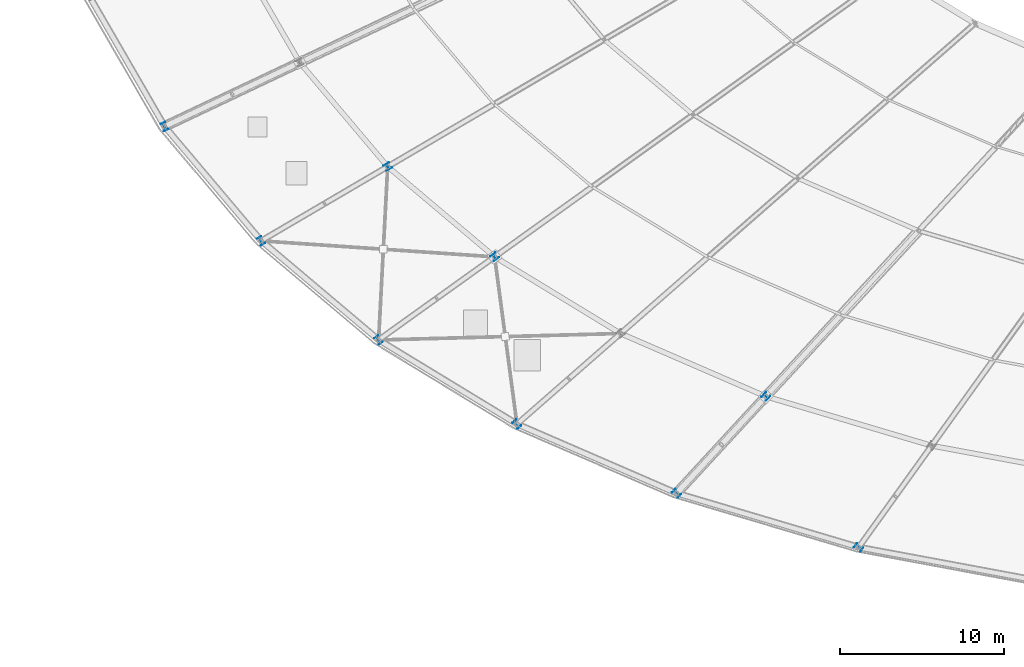
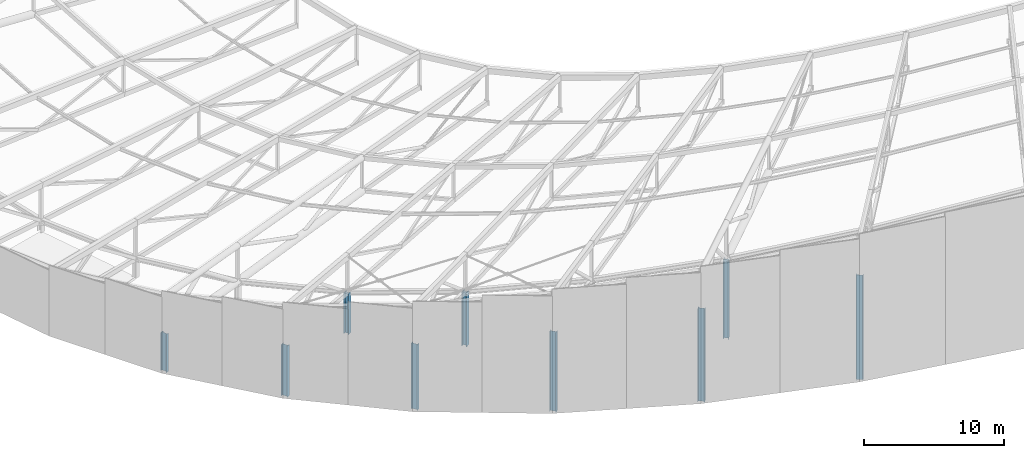
# One storey, part 1 of 143: 9 columns.
"""IFC4 building model written with IfcOpenShell, lengths in metres."""

import ifcopenshell
import ifcopenshell.guid

model = None  # the IFC model being written
_history = None  # IfcOwnerHistory: only IFC2X3 demands one
_inside = {}  # id of a spatial element -> (the spatial element, [elements in it])
_under = {}  # id of a project, library or spatial element -> (it, [spatial elements below it])
_declared = {}  # id of a project -> (the project, [libraries it declares])
_typed = {}  # id of a type object -> (the type object, [elements of that type])
_made_of = {}  # id of a material, layer set ... -> (it, [elements and type objects made of it])


def new_model(schema):
    """Start an empty IFC model of exactly this schema.

    Asked for "IFC4X3", IfcOpenShell would pick the latest addendum, in which some entities
    have other attributes; the version numbers below select the first issue.
    IFC2X3 requires an IfcOwnerHistory on every rooted entity: one is made here for all.
    """
    global model, _history
    if schema == "IFC4X3":
        model = ifcopenshell.file(schema_version=(4, 3, 0, 0))
    else:
        model = ifcopenshell.file(schema=schema)
    _inside.clear()
    _under.clear()
    _declared.clear()
    _typed.clear()
    _made_of.clear()
    _history = None
    if model.schema == "IFC2X3":
        org = make("IfcOrganization", Name="unknown")
        user = make(
            "IfcPersonAndOrganization",
            ThePerson=make("IfcPerson", FamilyName="unknown"),
            TheOrganization=org,
        )
        app = make(
            "IfcApplication",
            ApplicationDeveloper=org,
            Version="unknown",
            ApplicationFullName="unknown",
            ApplicationIdentifier="unknown",
        )
        _history = make(
            "IfcOwnerHistory",
            OwningUser=user,
            OwningApplication=app,
            ChangeAction="ADDED",
            CreationDate=0,
        )
    return model


def make(cls, **values):
    """One entity of the class cls with the attributes given. An attribute that is None is left unset."""
    return model.create_entity(
        cls, **{name: value for name, value in values.items() if value is not None}
    )


def rooted(cls, **values):
    """An entity with a GlobalId (a new one), such as an element, a storey or a relation."""
    return make(cls, GlobalId=ifcopenshell.guid.new(), OwnerHistory=_history, **values)


def si_unit(unit_type, name, prefix=None):
    """IfcSIUnit, for example si_unit("LENGTHUNIT", "METRE", prefix="MILLI")."""
    return make("IfcSIUnit", UnitType=unit_type, Prefix=prefix, Name=name)


def assignment(units):
    """IfcUnitAssignment: the units of a project."""
    return None if units is None else make("IfcUnitAssignment", Units=units)


def point(xyz):
    """IfcCartesianPoint."""
    return None if xyz is None else make("IfcCartesianPoint", Coordinates=xyz)


def direction(xyz):
    """IfcDirection."""
    return None if xyz is None else make("IfcDirection", DirectionRatios=xyz)


def frame(location, z_axis=None, x_axis=None):
    """IfcAxis2Placement3D, a coordinate frame: its origin and axes. An axis left out is left unset."""
    return make(
        "IfcAxis2Placement3D",
        Location=point(location),
        Axis=direction(z_axis),
        RefDirection=direction(x_axis),
    )


def frame_2d(location, x_axis=None):
    """IfcAxis2Placement2D, a coordinate frame in the plane: its origin and x axis."""
    return make(
        "IfcAxis2Placement2D", Location=point(location), RefDirection=direction(x_axis)
    )


def origin():
    """The frame at (0, 0, 0) with its axes left unset."""
    return frame((0.0, 0.0, 0.0))


def origin_2d():
    """The frame at (0, 0) in the plane with its x axis left unset."""
    return frame_2d((0.0, 0.0))


def place(relative_to, where):
    """IfcLocalPlacement: puts the frame where relative to a parent placement (None: the world)."""
    return make(
        "IfcLocalPlacement", PlacementRelTo=relative_to, RelativePlacement=where
    )


def context(
    kind, dimensions, precision=None, world=None, true_north=None, identifier=None
):
    """IfcGeometricRepresentationContext, for example the 3D "Model" context."""
    return make(
        "IfcGeometricRepresentationContext",
        ContextIdentifier=identifier,
        ContextType=kind,
        CoordinateSpaceDimension=dimensions,
        Precision=precision,
        WorldCoordinateSystem=world,
        TrueNorth=true_north,
    )


def subcontext(parent, identifier, kind, view, scale=None):
    """IfcGeometricRepresentationSubContext, for example "Body" below "Model"."""
    return make(
        "IfcGeometricRepresentationSubContext",
        ContextIdentifier=identifier,
        ContextType=kind,
        ParentContext=parent,
        TargetScale=scale,
        TargetView=view,
    )


def project(units=None, contexts=None):
    """IfcProject with its units and contexts."""
    return rooted(
        "IfcProject",
        Name="project",
        RepresentationContexts=contexts,
        UnitsInContext=assignment(units),
    )


def spatial(cls, under=None, at=None, **own):
    """A site, building, storey or space (cls), placed at a placement, below another one or the project."""
    s = rooted(cls, ObjectPlacement=at, **own)
    if under is not None:
        _under.setdefault(under.id(), (under, []))[1].append(s)
    return s


def profile(cls, at=None, kind="AREA", **sizes):
    """A parametric profile (cls). Its sizes go by their IFC names, for example OverallWidth=200.0."""
    return make(cls, ProfileType=kind, Position=at, **sizes)


def i_section(**sizes):
    """IfcIShapeProfileDef."""
    return profile("IfcIShapeProfileDef", **sizes)


def extrude(swept, where, along, depth):
    """IfcExtrudedAreaSolid: the profile swept, set in the frame where, extruded along a direction by depth."""
    return make(
        "IfcExtrudedAreaSolid",
        SweptArea=swept,
        Position=where,
        ExtrudedDirection=direction(along),
        Depth=depth,
    )


def shape(context_of_items, identifier, shape_type, items):
    """IfcShapeRepresentation: the items that make up one representation, for example the "Body"."""
    return make(
        "IfcShapeRepresentation",
        ContextOfItems=context_of_items,
        RepresentationIdentifier=identifier,
        RepresentationType=shape_type,
        Items=items,
    )


def material(Name=None, Category=None):
    """IfcMaterial."""
    return make("IfcMaterial", Name=Name, Category=Category)


def material_profile(
    of_material, cross_section, Name=None, Category=None, Priority=None
):
    """IfcMaterialProfile: a cross section and its material."""
    return make(
        "IfcMaterialProfile",
        Name=Name,
        Material=of_material,
        Profile=cross_section,
        Priority=Priority,
        Category=Category,
    )


def profile_set(profiles, Name=None, composite=None):
    """IfcMaterialProfileSet."""
    return make(
        "IfcMaterialProfileSet",
        Name=Name,
        MaterialProfiles=profiles,
        CompositeProfile=composite,
    )


def made_of(thing, what):
    """Note that an element or type object is made of a material, layer set ...; save() writes the relation."""
    if what is not None:
        _made_of.setdefault(what.id(), (what, []))[1].append(thing)
    return thing


def type_object(cls, material=None, **own):
    """A type object (cls), such as IfcWallType, which elements share."""
    return made_of(rooted(cls, **own), material)


def element(
    cls,
    number,
    at=None,
    inside=None,
    cuts=None,
    type_object=None,
    material=None,
    context=None,
    identifier="Body",
    shape_type=None,
    held_by="IfcProductDefinitionShape",
    body=None,
    shapes=None,
    **own,
):
    """One element of the class cls, such as IfcWall. Its Tag is "e" and its number.

    at: its placement. inside: the storey or other place that contains it. cuts: it is an
    opening in that element (IfcRelVoidsElement). A single representation is given by context,
    identifier, shape_type and body (its items); several are given by shapes. held_by: the class
    of the entity that holds the representations. save() writes the other relations.
    """
    e = rooted(cls, Tag="e%d" % number, ObjectPlacement=at, **own)
    if body is not None:
        shapes = [shape(context, identifier, shape_type, body)]
    if shapes is not None:
        e.Representation = make(held_by, Representations=shapes)
    if inside is not None:
        _inside.setdefault(inside.id(), (inside, []))[1].append(e)
    if cuts is not None:
        rooted(
            "IfcRelVoidsElement", RelatingBuildingElement=cuts, RelatedOpeningElement=e
        )
    if type_object is not None:
        _typed.setdefault(type_object.id(), (type_object, []))[1].append(e)
    return made_of(e, material)


def aggregate(whole, parts):
    """IfcRelAggregates: a whole, such as a stair, and the parts it consists of."""
    return rooted("IfcRelAggregates", RelatingObject=whole, RelatedObjects=parts)


def save(model, path):
    """Write the relations noted so far, then the file.

    IfcRelAggregates (storeys below a building ...), IfcRelContainedInSpatialStructure (elements
    in a storey), IfcRelDefinesByType, IfcRelAssociatesMaterial and IfcRelDeclares: one each for
    every whole, place, type object, material and project.
    """
    for whole, parts in _under.values():
        aggregate(whole, parts)
    for where, things in _inside.values():
        rooted(
            "IfcRelContainedInSpatialStructure",
            RelatedElements=things,
            RelatingStructure=where,
        )
    for kind, things in _typed.values():
        rooted("IfcRelDefinesByType", RelatedObjects=things, RelatingType=kind)
    for what, things in _made_of.values():
        rooted("IfcRelAssociatesMaterial", RelatedObjects=things, RelatingMaterial=what)
    for by, libraries in _declared.values():
        rooted("IfcRelDeclares", RelatingContext=by, RelatedDefinitions=libraries)
    model.write(path)


model = new_model("IFC4")

# Units and contexts
model_context = context("Model", 3, precision=1e-05, world=origin(), true_north=direction((0.0, 1.0)))
body_context = subcontext(model_context, "Body", "Model", "MODEL_VIEW")
ifc_project = project(units=[si_unit("LENGTHUNIT", "METRE"), si_unit("AREAUNIT", "SQUARE_METRE"), si_unit("VOLUMEUNIT", "CUBIC_METRE"), si_unit("PLANEANGLEUNIT", "RADIAN"), si_unit("MASSUNIT", "GRAM", prefix="KILO")], contexts=[model_context])

# Site, building, storey
site_placement = place(None, origin())
site = spatial("IfcSite", under=ifc_project, at=site_placement, CompositionType="ELEMENT")
building_placement = place(site_placement, origin())
building = spatial("IfcBuilding", under=site, at=building_placement, Name="Mphavela Belvedere Stadium", CompositionType="ELEMENT")
storey_placement = place(building_placement, frame((0.0, 0.0, 28.800048828125)))
storey = spatial("IfcBuildingStorey", under=building, at=storey_placement, Name="RF", CompositionType="ELEMENT", Elevation=28.800048828125)

# Columns
ifc_material_1 = material(Name="Steel S355", Category="steel")
ifc_material_profile_1 = material_profile(ifc_material_1, i_section(OverallWidth=0.39501953125, OverallDepth=0.3798828125, WebThickness=0.0166015625, FlangeThickness=0.02587890625, at=origin_2d()), Name="HD 400x237")
ifc_profile_set_1 = profile_set([ifc_material_profile_1], Name="Steel S355")
column_type_1 = type_object("IfcColumnType", Name="COL-STEEL-HD400", PredefinedType="COLUMN", material=ifc_profile_set_1)
column_1_placement = place(storey_placement, frame((36.399658203125, 40.88623046875, 0.0), z_axis=(0.0, 0.0, 1.0), x_axis=(-0.862513669207, -0.506033764121, 0.0)))
element("IfcColumn", 1, at=column_1_placement, inside=storey, type_object=column_type_1, Name="Roof truss inner support column RF R3-30", PredefinedType="COLUMN", context=body_context, shape_type="SweptSolid", body=[
    extrude(i_section(OverallWidth=0.39501953125, OverallDepth=0.3798828125, WebThickness=0.0166015625, FlangeThickness=0.02587890625, at=origin_2d()), origin(), (0.0, 0.0, 1.0), 3.5703125),
])
column_2_placement = place(storey_placement, frame((42.938720703125, 35.368408203125, 0.0), z_axis=(0.0, 0.0, 1.0), x_axis=(-0.812897512265, -0.582406760395, 0.0)))
element("IfcColumn", 2, at=column_2_placement, inside=storey, type_object=column_type_1, Name="Roof truss inner support column RF R3-31", PredefinedType="COLUMN", context=body_context, shape_type="SweptSolid", body=[
    extrude(i_section(OverallWidth=0.39501953125, OverallDepth=0.3798828125, WebThickness=0.0166015625, FlangeThickness=0.02587890625, at=origin_2d()), origin(), (0.0, 0.0, 1.0), 4.701171875),
])
column_3_placement = place(storey_placement, frame((59.523681640625, 26.83203125, 0.0), z_axis=(0.0, 0.0, 1.0), x_axis=(-0.677903094969, -0.735151272753, 0.0)))
element("IfcColumn", 3, at=column_3_placement, inside=storey, type_object=column_type_1, Name="Roof truss inner support column RF R3-33", PredefinedType="COLUMN", context=body_context, shape_type="SweptSolid", body=[
    extrude(i_section(OverallWidth=0.39501953125, OverallDepth=0.3798828125, WebThickness=0.0166015625, FlangeThickness=0.02587890625, at=origin_2d()), origin(), (0.0, 0.0, 1.0), 6.88623046875),
])
ifc_material_2 = material(Name="Steel S355", Category="steel")
ifc_material_profile_2 = material_profile(ifc_material_2, i_section(OverallWidth=0.300048828125, OverallDepth=0.5, WebThickness=0.014404296875, FlangeThickness=0.028076171875, at=origin_2d()), Name="HEB 500")
ifc_profile_set_2 = profile_set([ifc_material_profile_2], Name="Steel S355")
column_type_2 = type_object("IfcColumnType", Name="COL-STEEL-HEB500", PredefinedType="COLUMN", material=ifc_profile_set_2)
column_4_placement = place(storey_placement, frame((22.757568359375, 43.33837890625, 0.0), z_axis=(0.0, 0.0, 1.0), x_axis=(-0.903858661687, -0.4278311813, 0.0)))
element("IfcColumn", 4, at=column_4_placement, inside=storey, type_object=column_type_2, Name="Roof truss outer tie-down column RF R4-29", PredefinedType="COLUMN", context=body_context, shape_type="SweptSolid", body=[
    extrude(i_section(OverallWidth=0.300048828125, OverallDepth=0.5, WebThickness=0.014404296875, FlangeThickness=0.028076171875, at=origin_2d()), origin(), (0.0, 0.0, 1.0), 3.31103515625),
])
column_5_placement = place(storey_placement, frame((28.66162109375, 36.346435546875, 0.0), z_axis=(0.0, 0.0, 1.0), x_axis=(-0.862513669207, -0.506033764121, 0.0)))
element("IfcColumn", 5, at=column_5_placement, inside=storey, type_object=column_type_2, Name="Roof truss outer tie-down column RF R4-30", PredefinedType="COLUMN", context=body_context, shape_type="SweptSolid", body=[
    extrude(i_section(OverallWidth=0.300048828125, OverallDepth=0.5, WebThickness=0.014404296875, FlangeThickness=0.028076171875, at=origin_2d()), origin(), (0.0, 0.0, 1.0), 4.46875),
])
column_6_placement = place(storey_placement, frame((35.844482421875, 30.285400390625, 0.0), z_axis=(0.0, 0.0, 1.0), x_axis=(-0.812897512265, -0.582406760395, 0.0)))
element("IfcColumn", 6, at=column_6_placement, inside=storey, type_object=column_type_2, Name="Roof truss outer tie-down column RF R4-31", PredefinedType="COLUMN", context=body_context, shape_type="SweptSolid", body=[
    extrude(i_section(OverallWidth=0.300048828125, OverallDepth=0.5, WebThickness=0.014404296875, FlangeThickness=0.028076171875, at=origin_2d()), origin(), (0.0, 0.0, 1.0), 5.7109375),
])
column_7_placement = place(storey_placement, frame((44.3037109375, 25.13916015625, 0.0), z_axis=(0.0, 0.0, 1.0), x_axis=(-0.752529860433, -0.658558128912, 0.0)))
element("IfcColumn", 7, at=column_7_placement, inside=storey, type_object=column_type_2, Name="Roof truss outer tie-down column RF R4-32", PredefinedType="COLUMN", context=body_context, shape_type="SweptSolid", body=[
    extrude(i_section(OverallWidth=0.300048828125, OverallDepth=0.5, WebThickness=0.014404296875, FlangeThickness=0.028076171875, at=origin_2d()), origin(), (0.0, 0.0, 1.0), 6.953369140625),
])
column_8_placement = place(storey_placement, frame((54.0625, 20.90869140625, 0.0), z_axis=(0.0, 0.0, 1.0), x_axis=(-0.677903094969, -0.735151272753, 0.0)))
element("IfcColumn", 8, at=column_8_placement, inside=storey, type_object=column_type_2, Name="Roof truss outer tie-down column RF R4-33", PredefinedType="COLUMN", context=body_context, shape_type="SweptSolid", body=[
    extrude(i_section(OverallWidth=0.300048828125, OverallDepth=0.5, WebThickness=0.014404296875, FlangeThickness=0.028076171875, at=origin_2d()), origin(), (0.0, 0.0, 1.0), 8.11083984375),
])
column_9_placement = place(storey_placement, frame((65.19873046875, 17.60302734375, 0.0), z_axis=(0.0, 0.0, 1.0), x_axis=(-0.582974127943, -0.812490717577, 0.0)))
element("IfcColumn", 9, at=column_9_placement, inside=storey, type_object=column_type_2, Name="Roof truss outer tie-down column RF R4-34", PredefinedType="COLUMN", context=body_context, shape_type="SweptSolid", body=[
    extrude(i_section(OverallWidth=0.300048828125, OverallDepth=0.5, WebThickness=0.014404296875, FlangeThickness=0.028076171875, at=origin_2d()), origin(), (0.0, 0.0, 1.0), 9.10498046875),
])

save(model, "model.ifc")
